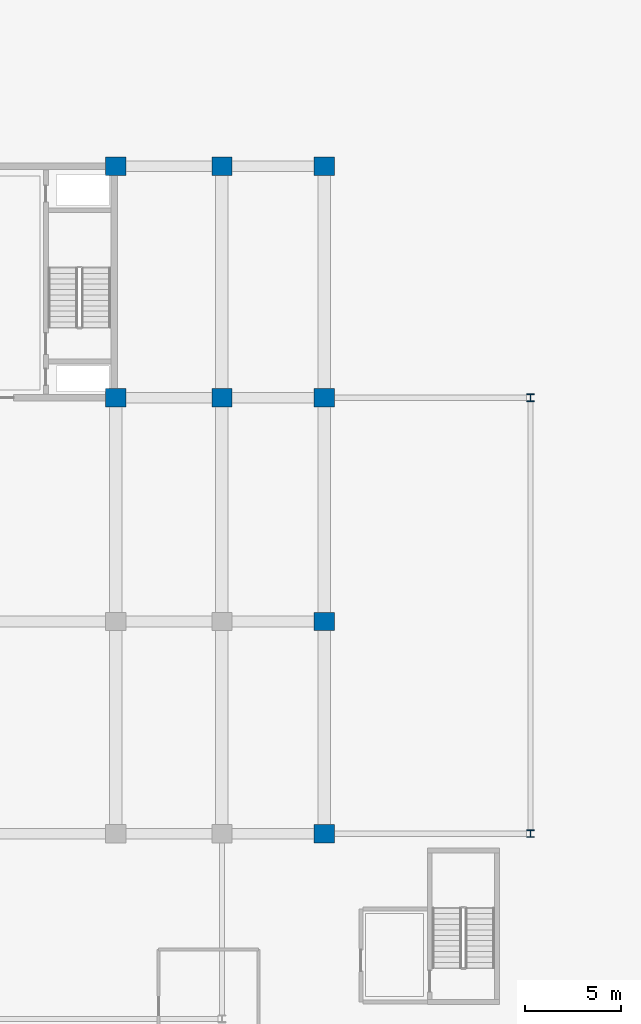
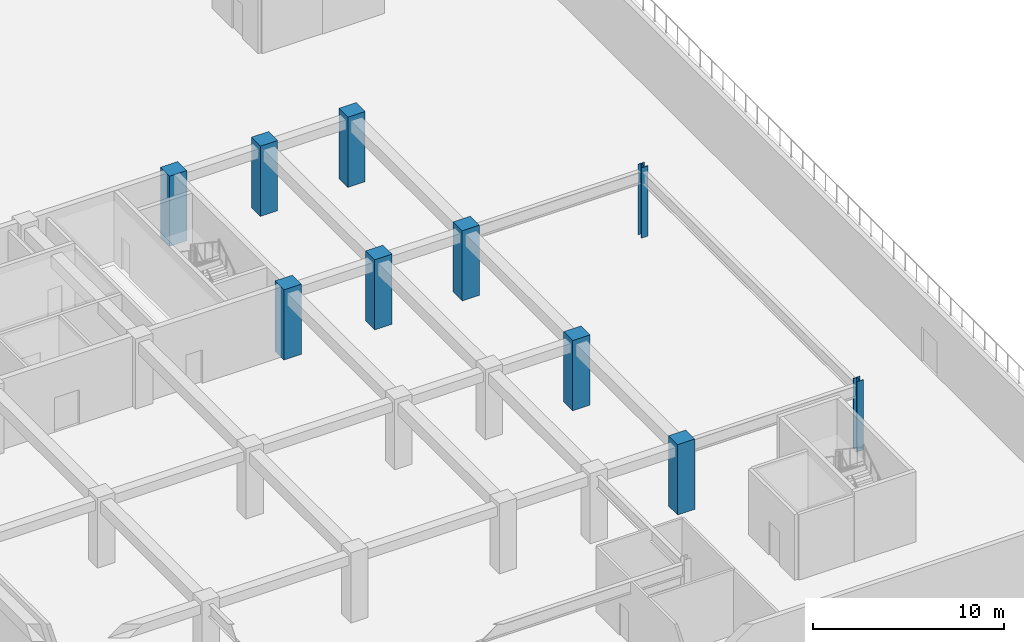
# One storey, part 3 of 43: 10 columns.
"""IFC4 building model written with IfcOpenShell, lengths in metres."""

from ifc_helpers import new_model, si_unit, direction, frame, origin, origin_2d, place, context, subcontext, project, spatial, rectangle, i_section, extrude, material, material_profile, profile_set, type_object, element, save


model = new_model("IFC4")

# Units and contexts
model_context = context("Model", 3, precision=1e-05, world=origin(), true_north=direction((0.0, 1.0)))
body_context = subcontext(model_context, "Body", "Model", "MODEL_VIEW")
ifc_project = project(units=[si_unit("LENGTHUNIT", "METRE"), si_unit("AREAUNIT", "SQUARE_METRE"), si_unit("VOLUMEUNIT", "CUBIC_METRE"), si_unit("PLANEANGLEUNIT", "RADIAN"), si_unit("MASSUNIT", "GRAM", prefix="KILO")], contexts=[model_context])

# Site, building, storey
site_placement = place(None, origin())
site = spatial("IfcSite", under=ifc_project, at=site_placement, CompositionType="ELEMENT")
building_placement = place(site_placement, origin())
building = spatial("IfcBuilding", under=site, at=building_placement, Name="Korimba Cascade Residences", CompositionType="ELEMENT")
storey_placement = place(building_placement, frame((0.0, 0.0, 10.0)))
storey = spatial("IfcBuildingStorey", under=building, at=storey_placement, Name="L02", CompositionType="ELEMENT", Elevation=10.0)

# Columns
ifc_material_1 = material(Name="Concrete C80/95", Category="concrete")
ifc_material_profile_1 = material_profile(ifc_material_1, rectangle(XDim=1.050048828125, YDim=0.949951171875, at=origin_2d()), Name="Concrete C80/95")
ifc_profile_set_1 = profile_set([ifc_material_profile_1], Name="Concrete C80/95")
column_type_1 = type_object("IfcColumnType", Name="COL-RC-1050", PredefinedType="COLUMN", material=ifc_profile_set_1)
for number, where, z_axis, x_axis, name in (
    (1, (118.10009765625, 18.39990234375, 0.0), (0.0, 0.0, 1.0), (1.0, 0.0, 0.0), "L02 Tower 2 Column 6.3"),
    (2, (118.10009765625, 30.39990234375, 0.0), (0.0, 0.0, 1.0), (1.0, 0.0, 0.0), "L02 Tower 2 Column 6.4"),
    (3, (123.60009765625, 18.39990234375, 0.0), (0.0, 0.0, 1.0), (1.0, 0.0, 0.0), "L02 Tower 2 Column 7.3"),
    (4, (123.60009765625, 30.39990234375, 0.0), (0.0, 0.0, 1.0), (1.0, 0.0, 0.0), "L02 Tower 2 Column 7.4"),
    (5, (128.89990234375, -4.199951171875, 0.0), (0.0, 0.0, 1.0), (1.0, 0.0, 0.0), "L02 Tower 2 Column 8.1"),
    (6, (128.89990234375, 6.800048828125, 0.0), (0.0, 0.0, 1.0), (1.0, 0.0, 0.0), "L02 Tower 2 Column 8.2"),
    (7, (128.89990234375, 18.39990234375, 0.0), (0.0, 0.0, 1.0), (1.0, 0.0, 0.0), "L02 Tower 2 Column 8.3"),
    (8, (128.89990234375, 30.39990234375, 0.0), (0.0, 0.0, 1.0), (1.0, 0.0, 0.0), "L02 Tower 2 Column 8.4"),
):
    element("IfcColumn", number, at=place(storey_placement, frame(where, z_axis=z_axis, x_axis=x_axis)), inside=storey, type_object=column_type_1, Name=name, PredefinedType="COLUMN", context=body_context, shape_type="SweptSolid", body=[
        extrude(rectangle(XDim=1.050048828125, YDim=0.949951171875, at=origin_2d()), origin(), (0.0, 0.0, 1.0), 4.5),
    ])
ifc_material_2 = material(Name="Steel S355", Category="steel")
ifc_material_profile_2 = material_profile(ifc_material_2, i_section(OverallWidth=0.39892578125, OverallDepth=0.3935546875, WebThickness=0.022705078125, FlangeThickness=0.03662109375, FilletRadius=0.01513671875, at=origin_2d()), Name="Steel S355")
ifc_profile_set_2 = profile_set([ifc_material_profile_2], Name="Steel S355")
column_type_2 = type_object("IfcColumnType", Name="COL-STL-UC287", PredefinedType="COLUMN", material=ifc_profile_set_2)
for number, where, z_axis, x_axis, name in (
    (9, (139.60009765625, -4.199951171875, 0.0), (0.0, 0.0, 1.0), (1.0, 0.0, 0.0), "L02 Podium Column PCE1"),
    (10, (139.60009765625, 18.39990234375, 0.0), (0.0, 0.0, 1.0), (1.0, 0.0, 0.0), "L02 Podium Column PCE2"),
):
    element("IfcColumn", number, at=place(storey_placement, frame(where, z_axis=z_axis, x_axis=x_axis)), inside=storey, type_object=column_type_2, Name=name, PredefinedType="COLUMN", context=body_context, shape_type="SweptSolid", body=[
        extrude(i_section(OverallWidth=0.39892578125, OverallDepth=0.3935546875, WebThickness=0.022705078125, FlangeThickness=0.03662109375, FilletRadius=0.01513671875, at=origin_2d()), origin(), (0.0, 0.0, 1.0), 4.5),
    ])

save(model, "model.ifc")
